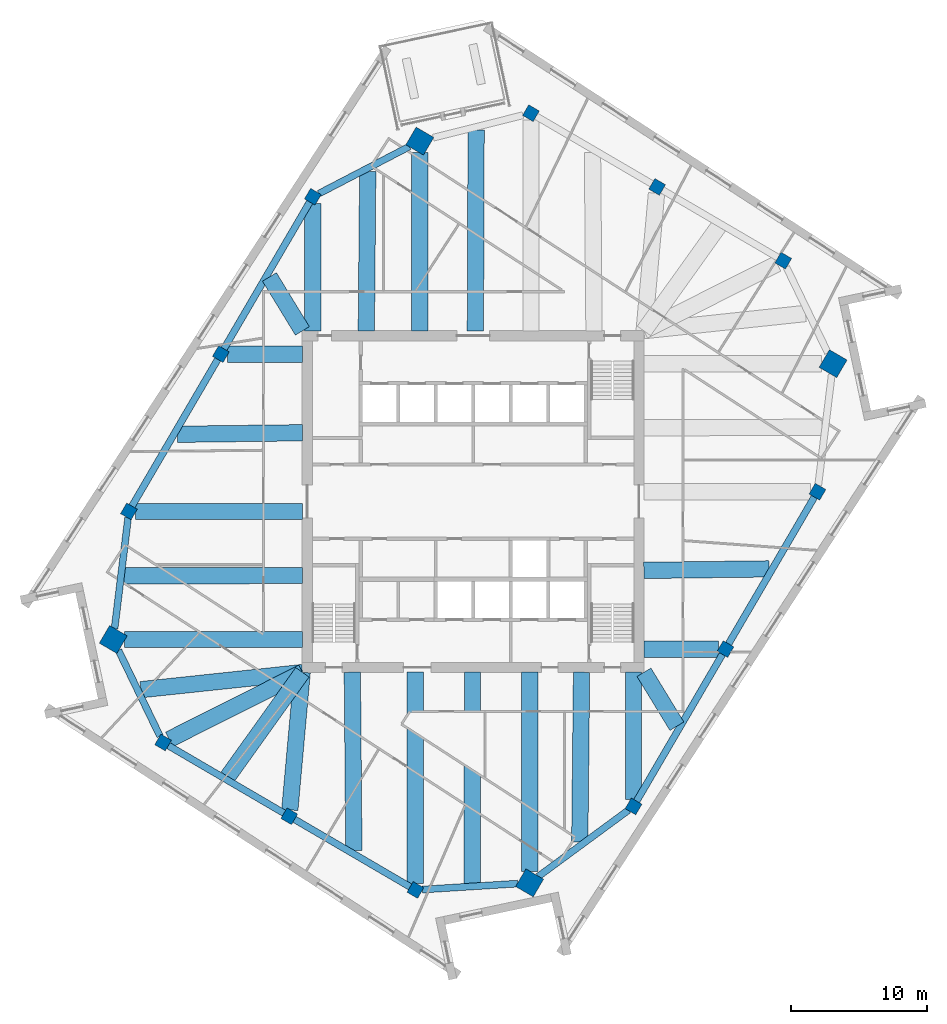
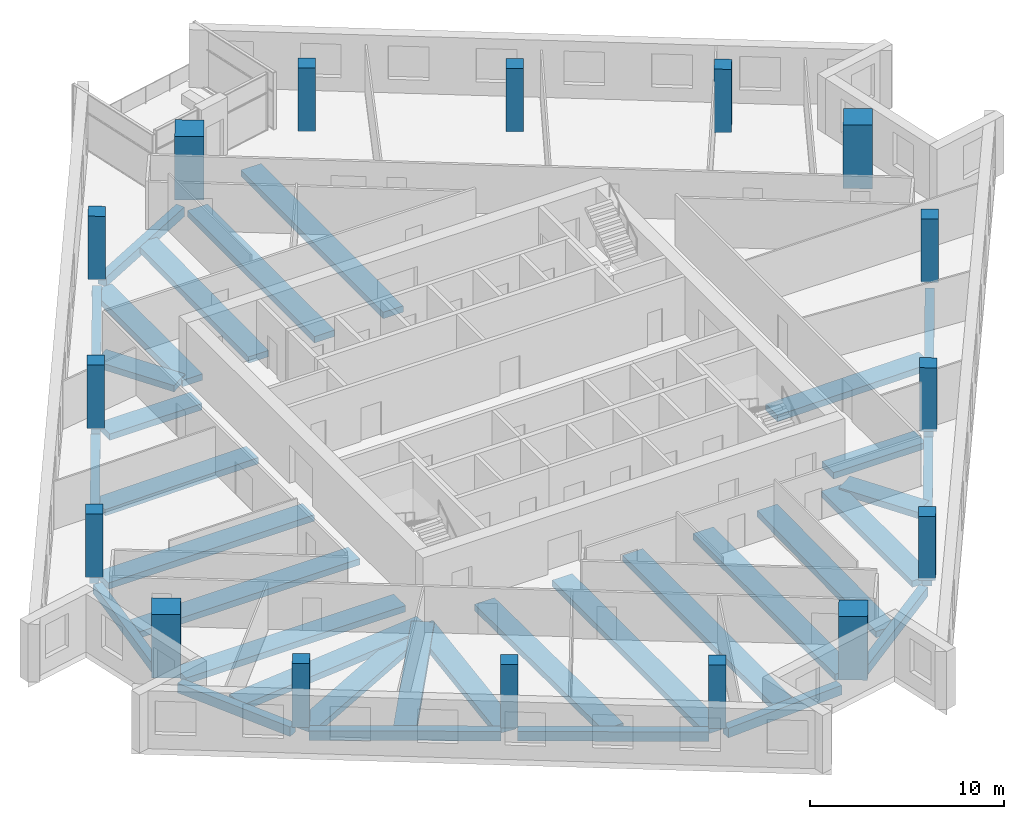
# One storey, part 1 of 12: 34 beams, 16 columns.
"""IFC4 building model written with IfcOpenShell, lengths in metres."""

from ifc_helpers import new_model, si_unit, direction, frame, origin, origin_2d, place, context, subcontext, project, spatial, rectangle, extrude, material, material_profile, profile_set, type_object, element, save


model = new_model("IFC4")

# Units and contexts
model_context = context("Model", 3, precision=1e-05, world=origin(), true_north=direction((0.0, 1.0)))
body_context = subcontext(model_context, "Body", "Model", "MODEL_VIEW")
ifc_project = project(units=[si_unit("LENGTHUNIT", "METRE"), si_unit("AREAUNIT", "SQUARE_METRE"), si_unit("VOLUMEUNIT", "CUBIC_METRE"), si_unit("PLANEANGLEUNIT", "RADIAN"), si_unit("MASSUNIT", "GRAM", prefix="KILO")], contexts=[model_context])

# Site, building, storey
site_placement = place(None, origin())
site = spatial("IfcSite", under=ifc_project, at=site_placement, CompositionType="ELEMENT")
building_placement = place(site_placement, origin())
building = spatial("IfcBuilding", under=site, at=building_placement, Name="Dilmun Exchange Tower", CompositionType="ELEMENT")
storey_placement = place(building_placement, frame((0.0, 0.0, 254.89990234375)))
storey = spatial("IfcBuildingStorey", under=building, at=storey_placement, Name="L60", CompositionType="ELEMENT", Elevation=254.89990234375)

# Columns
ifc_material_1 = material(Name="Concrete C50/60", Category="concrete")
ifc_material_profile_1 = material_profile(ifc_material_1, rectangle(XDim=1.5, YDim=1.5, at=origin_2d()), Name="1500 x 1500")
ifc_profile_set_1 = profile_set([ifc_material_profile_1], Name="Concrete C50/60")
column_type_1 = type_object("IfcColumnType", Name="RC mega column 1500 x 1500 C50/60", PredefinedType="COLUMN", material=ifc_profile_set_1)
for number, where, z_axis, x_axis, name in (
    (1, (-3.9150390625, 26.45703125, 0.0), (0.0, 0.0, 1.0), (0.504643651291, 0.863327739165, 0.0), "Mega column M1"),
    (2, (-26.4150390625, -10.1220703125, 0.0), (0.0, 0.0, 1.0), (0.504643651291, 0.863327739165, 0.0), "Mega column M2"),
    (3, (4.14111328125, -27.98291015625, 0.0), (0.0, 0.0, 1.0), (0.504643651291, 0.863327739165, 0.0), "Mega column M3"),
    (4, (26.4150390625, 10.1220703125, 0.0), (0.0, 0.0, 1.0), (0.504643651291, 0.863327739165, 0.0), "Mega column M4"),
):
    element("IfcColumn", number, at=place(storey_placement, frame(where, z_axis=z_axis, x_axis=x_axis)), inside=storey, type_object=column_type_1, Name=name, PredefinedType="COLUMN", context=body_context, shape_type="SweptSolid", body=[
        extrude(rectangle(XDim=1.5, YDim=1.5, at=origin_2d()), origin(), (0.0, 0.0, 1.0), 4.0),
    ])
ifc_material_profile_2 = material_profile(ifc_material_1, rectangle(XDim=0.89990234375, YDim=0.89990234375, at=origin_2d()), Name="900 x 900")
ifc_profile_set_2 = profile_set([ifc_material_profile_2], Name="Concrete C50/60")
column_type_2 = type_object("IfcColumnType", Name="RC ring column 900 x 900 C50/60", PredefinedType="COLUMN", material=ifc_profile_set_2)
for number, where, z_axis, x_axis, name in (
    (5, (-11.76904296875, 22.3720703125, 0.0), (0.0, 0.0, 1.0), (0.504643651291, 0.863327739165, 0.0), "Ring column R01"),
    (6, (-18.51806640625, 10.824951171875, 0.0), (0.0, 0.0, 1.0), (0.504643651291, 0.863327739165, 0.0), "Ring column R02"),
    (7, (-25.26806640625, -0.721923828125, 0.0), (0.0, 0.0, 1.0), (0.504643651291, 0.863327739165, 0.0), "Ring column R03"),
    (8, (-22.758056640625, -17.681884765625, 0.0), (0.0, 0.0, 1.0), (0.504643651291, 0.863327739165, 0.0), "Ring column R04"),
    (9, (-13.4990234375, -23.093994140625, 0.0), (0.0, 0.0, 1.0), (0.504643651291, 0.863327739165, 0.0), "Ring column R05"),
    (10, (-4.239990234375, -28.506103515625, 0.0), (0.0, 0.0, 1.0), (0.504643651291, 0.863327739165, 0.0), "Ring column R06"),
    (11, (11.76904296875, -22.3720703125, 0.0), (0.0, 0.0, 1.0), (0.504643651291, 0.863327739165, 0.0), "Ring column R07"),
    (12, (18.51806640625, -10.824951171875, 0.0), (0.0, 0.0, 1.0), (0.504643651291, 0.863327739165, 0.0), "Ring column R08"),
    (13, (25.26806640625, 0.721923828125, 0.0), (0.0, 0.0, 1.0), (0.504643651291, 0.863327739165, 0.0), "Ring column R09"),
    (14, (22.758056640625, 17.681884765625, 0.0), (0.0, 0.0, 1.0), (0.504643651291, 0.863327739165, 0.0), "Ring column R10"),
    (15, (13.4990234375, 23.093994140625, 0.0), (0.0, 0.0, 1.0), (0.504643651291, 0.863327739165, 0.0), "Ring column R11"),
    (16, (4.239990234375, 28.506103515625, 0.0), (0.0, 0.0, 1.0), (0.504643651291, 0.863327739165, 0.0), "Ring column R12"),
):
    element("IfcColumn", number, at=place(storey_placement, frame(where, z_axis=z_axis, x_axis=x_axis)), inside=storey, type_object=column_type_2, Name=name, PredefinedType="COLUMN", context=body_context, shape_type="SweptSolid", body=[
        extrude(rectangle(XDim=0.89990234375, YDim=0.89990234375, at=origin_2d()), origin(), (0.0, 0.0, 1.0), 4.0),
    ])

# Beams
ifc_material_2 = material(Name="Concrete C40/50", Category="concrete")
ifc_material_profile_3 = material_profile(ifc_material_2, rectangle(XDim=1.199951171875, YDim=0.39990234375, at=origin_2d()), Name="1200 x 400")
ifc_profile_set_3 = profile_set([ifc_material_profile_3], Name="Concrete C40/50")
beam_type_1 = type_object("IfcBeamType", Name="RC band beam 1200 x 400 C40/50", PredefinedType="BEAM", material=ifc_profile_set_3)
beam_1_placement = place(storey_placement, frame((-3.9150390625, 25.615234375, -0.659912109375), z_axis=(0.0, -1.0, 0.0), x_axis=(1.0, 0.0, 0.0)))
element("IfcBeam", 17, at=beam_1_placement, inside=storey, type_object=beam_type_1, Name="Band beam 1", PredefinedType="BEAM", context=body_context, shape_type="SweptSolid", body=[
    extrude(rectangle(XDim=1.199951171875, YDim=0.39990234375, at=origin_2d()), origin(), (0.0, 0.0, 1.0), 13.09228515625),
])
beam_2_placement = place(storey_placement, frame((-11.76904296875, 21.877685546875, -0.659912109375), z_axis=(0.0, -1.0, 0.0), x_axis=(1.0, 0.0, 0.0)))
element("IfcBeam", 18, at=beam_2_placement, inside=storey, type_object=beam_type_1, Name="Band beam 2", PredefinedType="BEAM", context=body_context, shape_type="SweptSolid", body=[
    extrude(rectangle(XDim=1.199951171875, YDim=0.39990234375, at=origin_2d()), origin(), (0.0, 0.0, 1.0), 9.354736328125),
])
beam_3_placement = place(storey_placement, frame((-18.023681640625, 10.824951171875, -0.659912109375), z_axis=(1.0, 0.0, 0.0), x_axis=(0.0, 1.0, 0.0)))
element("IfcBeam", 19, at=beam_3_placement, inside=storey, type_object=beam_type_1, Name="Band beam 3", PredefinedType="BEAM", context=body_context, shape_type="SweptSolid", body=[
    extrude(rectangle(XDim=1.199951171875, YDim=0.39990234375, at=origin_2d()), origin(), (0.0, 0.0, 1.0), 5.500732421875),
])
beam_4_placement = place(storey_placement, frame((-24.773681640625, -0.721923828125, -0.659912109375), z_axis=(1.0, 0.0, 0.0), x_axis=(0.0, 1.0, 0.0)))
element("IfcBeam", 20, at=beam_4_placement, inside=storey, type_object=beam_type_1, Name="Band beam 4", PredefinedType="BEAM", context=body_context, shape_type="SweptSolid", body=[
    extrude(rectangle(XDim=1.199951171875, YDim=0.39990234375, at=origin_2d()), origin(), (0.0, 0.0, 1.0), 12.250732421875),
])
beam_5_placement = place(storey_placement, frame((-25.5732421875, -10.1220703125, -0.659912109375), z_axis=(1.0, 0.0, 0.0), x_axis=(0.0, 1.0, 0.0)))
element("IfcBeam", 21, at=beam_5_placement, inside=storey, type_object=beam_type_1, Name="Band beam 5", PredefinedType="BEAM", context=body_context, shape_type="SweptSolid", body=[
    extrude(rectangle(XDim=1.199951171875, YDim=0.39990234375, at=origin_2d()), origin(), (0.0, 0.0, 1.0), 13.05029296875),
])
beam_6_placement = place(storey_placement, frame((-22.302734375, -17.453125, -0.659912109375), z_axis=(0.893443377394, 0.449175835716, 0.0), x_axis=(-0.449175835716, 0.893443377394, 0.0)))
element("IfcBeam", 22, at=beam_6_placement, inside=storey, type_object=beam_type_1, Name="Band beam 6", PredefinedType="BEAM", context=body_context, shape_type="SweptSolid", body=[
    extrude(rectangle(XDim=1.199951171875, YDim=0.39990234375, at=origin_2d()), origin(), (0.0, 0.0, 1.0), 10.94287109375),
])
beam_7_placement = place(storey_placement, frame((-13.456787109375, -22.625732421875, -0.659912109375), z_axis=(0.089632924375, 0.995974868593, 0.0), x_axis=(-0.995974868593, 0.089632924375, 0.0)))
element("IfcBeam", 23, at=beam_7_placement, inside=storey, type_object=beam_type_1, Name="Band beam 7", PredefinedType="BEAM", context=body_context, shape_type="SweptSolid", body=[
    extrude(rectangle(XDim=1.199951171875, YDim=0.39990234375, at=origin_2d()), origin(), (0.0, 0.0, 1.0), 10.143310546875),
])
beam_8_placement = place(storey_placement, frame((-4.239990234375, -28.01171875, -0.659912109375), z_axis=(0.0, 1.0, 0.0), x_axis=(-1.0, 0.0, 0.0)))
element("IfcBeam", 24, at=beam_8_placement, inside=storey, type_object=beam_type_1, Name="Band beam 8", PredefinedType="BEAM", context=body_context, shape_type="SweptSolid", body=[
    extrude(rectangle(XDim=1.199951171875, YDim=0.39990234375, at=origin_2d()), origin(), (0.0, 0.0, 1.0), 15.48876953125),
])
beam_9_placement = place(storey_placement, frame((4.14111328125, -27.141357421875, -0.659912109375), z_axis=(0.0, 1.0, 0.0), x_axis=(-1.0, 0.0, 0.0)))
element("IfcBeam", 25, at=beam_9_placement, inside=storey, type_object=beam_type_1, Name="Band beam 9", PredefinedType="BEAM", context=body_context, shape_type="SweptSolid", body=[
    extrude(rectangle(XDim=1.199951171875, YDim=0.39990234375, at=origin_2d()), origin(), (0.0, 0.0, 1.0), 14.618408203125),
])
beam_10_placement = place(storey_placement, frame((11.76904296875, -21.877685546875, -0.659912109375), z_axis=(0.0, 1.0, 0.0), x_axis=(-1.0, 0.0, 0.0)))
element("IfcBeam", 26, at=beam_10_placement, inside=storey, type_object=beam_type_1, Name="Band beam 10", PredefinedType="BEAM", context=body_context, shape_type="SweptSolid", body=[
    extrude(rectangle(XDim=1.199951171875, YDim=0.39990234375, at=origin_2d()), origin(), (0.0, 0.0, 1.0), 9.354736328125),
])
beam_11_placement = place(storey_placement, frame((18.023681640625, -10.824951171875, -0.659912109375), z_axis=(-1.0, 0.0, 0.0), x_axis=(0.0, -1.0, 0.0)))
element("IfcBeam", 27, at=beam_11_placement, inside=storey, type_object=beam_type_1, Name="Band beam 11", PredefinedType="BEAM", context=body_context, shape_type="SweptSolid", body=[
    extrude(rectangle(XDim=1.199951171875, YDim=0.39990234375, at=origin_2d()), origin(), (0.0, 0.0, 1.0), 5.500732421875),
])
beam_12_placement = place(storey_placement, frame((-7.739013671875, 24.216796875, -0.559814453125), z_axis=(-0.008810046818, -0.999961190784, 0.0), x_axis=(0.999961190784, -0.008810046818, 0.0)))
element("IfcBeam", 28, at=beam_12_placement, inside=storey, type_object=beam_type_1, Name="Band beam 17", PredefinedType="BEAM", context=body_context, shape_type="SweptSolid", body=[
    extrude(rectangle(XDim=1.199951171875, YDim=0.39990234375, at=origin_2d()), origin(), (0.0, 0.0, 1.0), 11.6943359375),
])
beam_13_placement = place(storey_placement, frame((-14.950927734375, 16.486083984375, -0.559814453125), z_axis=(0.520868546878, -0.853636899901, 0.0), x_axis=(0.853636899901, 0.520868546878, 0.0)))
element("IfcBeam", 29, at=beam_13_placement, inside=storey, type_object=beam_type_1, Name="Band beam 18", PredefinedType="BEAM", context=body_context, shape_type="SweptSolid", body=[
    extrude(rectangle(XDim=1.199951171875, YDim=0.39990234375, at=origin_2d()), origin(), (0.0, 0.0, 1.0), 4.637451171875),
])
beam_14_placement = place(storey_placement, frame((-21.700439453125, 4.93896484375, -0.559814453125), z_axis=(0.999924810861, 0.01226265164, 0.0), x_axis=(-0.01226265164, 0.999924810861, 0.0)))
element("IfcBeam", 30, at=beam_14_placement, inside=storey, type_object=beam_type_1, Name="Band beam 19", PredefinedType="BEAM", context=body_context, shape_type="SweptSolid", body=[
    extrude(rectangle(XDim=1.199951171875, YDim=0.39990234375, at=origin_2d()), origin(), (0.0, 0.0, 1.0), 9.17822265625),
])
beam_15_placement = place(storey_placement, frame((-25.6201171875, -5.448974609375, -0.559814453125), z_axis=(0.999997897774, 0.002050474756, 0.0), x_axis=(-0.002050474756, 0.999997897774, 0.0)))
element("IfcBeam", 31, at=beam_15_placement, inside=storey, type_object=beam_type_1, Name="Band beam 20", PredefinedType="BEAM", context=body_context, shape_type="SweptSolid", body=[
    extrude(rectangle(XDim=1.199951171875, YDim=0.39990234375, at=origin_2d()), origin(), (0.0, 0.0, 1.0), 13.09716796875),
])
beam_16_placement = place(storey_placement, frame((-24.3857421875, -13.804931640625, -0.559814453125), z_axis=(0.994425543871, 0.105441157505, 0.0), x_axis=(-0.105441157505, 0.994425543871, 0.0)))
element("IfcBeam", 32, at=beam_16_placement, inside=storey, type_object=beam_type_1, Name="Band beam 21", PredefinedType="BEAM", context=body_context, shape_type="SweptSolid", body=[
    extrude(rectangle(XDim=1.199951171875, YDim=0.39990234375, at=origin_2d()), origin(), (0.0, 0.0, 1.0), 11.928955078125),
])
beam_17_placement = place(storey_placement, frame((-18.01611328125, -20.195556640625, -0.559814453125), z_axis=(0.581600762294, 0.81347437163, 0.0), x_axis=(-0.81347437163, 0.581600762294, 0.0)))
element("IfcBeam", 33, at=beam_17_placement, inside=storey, type_object=beam_type_1, Name="Band beam 22", PredefinedType="BEAM", context=body_context, shape_type="SweptSolid", body=[
    extrude(rectangle(XDim=1.199951171875, YDim=0.39990234375, at=origin_2d()), origin(), (0.0, 0.0, 1.0), 9.425537109375),
])
beam_18_placement = place(storey_placement, frame((-8.757080078125, -25.607421875, -0.559814453125), z_axis=(-0.008582734208, 0.999963167658, 0.0), x_axis=(-0.999963167658, -0.008582734208, 0.0)))
element("IfcBeam", 34, at=beam_18_placement, inside=storey, type_object=beam_type_1, Name="Band beam 23", PredefinedType="BEAM", context=body_context, shape_type="SweptSolid", body=[
    extrude(rectangle(XDim=1.199951171875, YDim=0.39990234375, at=origin_2d()), origin(), (0.0, 0.0, 1.0), 13.0849609375),
])
beam_19_placement = place(storey_placement, frame((-0.0634765625, -28.02197265625, -0.559814453125), z_axis=(0.000897863667, 0.99999959692, 0.0), x_axis=(-0.99999959692, 0.000897863667, 0.0)))
element("IfcBeam", 35, at=beam_19_placement, inside=storey, type_object=beam_type_1, Name="Band beam 24", PredefinedType="BEAM", context=body_context, shape_type="SweptSolid", body=[
    extrude(rectangle(XDim=1.199951171875, YDim=0.39990234375, at=origin_2d()), origin(), (0.0, 0.0, 1.0), 15.4990234375),
])
beam_20_placement = place(storey_placement, frame((7.822998046875, -24.997802734375, -0.559814453125), z_axis=(0.010587112348, 0.999943954956, 0.0), x_axis=(-0.999943954956, 0.010587112348, 0.0)))
element("IfcBeam", 36, at=beam_20_placement, inside=storey, type_object=beam_type_1, Name="Band beam 25", PredefinedType="BEAM", context=body_context, shape_type="SweptSolid", body=[
    extrude(rectangle(XDim=1.199951171875, YDim=0.39990234375, at=origin_2d()), origin(), (0.0, 0.0, 1.0), 12.4755859375),
])
beam_21_placement = place(storey_placement, frame((14.950927734375, -16.486083984375, -0.559814453125), z_axis=(-0.520868546878, 0.853636899901, 0.0), x_axis=(-0.853636899901, -0.520868546878, 0.0)))
element("IfcBeam", 37, at=beam_21_placement, inside=storey, type_object=beam_type_1, Name="Band beam 26", PredefinedType="BEAM", context=body_context, shape_type="SweptSolid", body=[
    extrude(rectangle(XDim=1.199951171875, YDim=0.39990234375, at=origin_2d()), origin(), (0.0, 0.0, 1.0), 4.637451171875),
])
beam_22_placement = place(storey_placement, frame((21.700439453125, -4.93896484375, -0.559814453125), z_axis=(-0.999924810861, -0.01226265164, 0.0), x_axis=(0.01226265164, -0.999924810861, 0.0)))
element("IfcBeam", 38, at=beam_22_placement, inside=storey, type_object=beam_type_1, Name="Band beam 27", PredefinedType="BEAM", context=body_context, shape_type="SweptSolid", body=[
    extrude(rectangle(XDim=1.199951171875, YDim=0.39990234375, at=origin_2d()), origin(), (0.0, 0.0, 1.0), 9.17822265625),
])
beam_23_placement = place(storey_placement, frame((0.216796875, 27.26513671875, -0.559814453125), z_axis=(-0.003676445742, -0.999993241851, 0.0), x_axis=(0.999993241851, -0.003676445742, 0.0)))
element("IfcBeam", 39, at=beam_23_placement, inside=storey, type_object=beam_type_1, Name="Band beam 32", PredefinedType="BEAM", context=body_context, shape_type="SweptSolid", body=[
    extrude(rectangle(XDim=1.199951171875, YDim=0.39990234375, at=origin_2d()), origin(), (0.0, 0.0, 1.0), 14.7421875),
])
ifc_material_profile_4 = material_profile(ifc_material_2, rectangle(XDim=0.5, YDim=0.60009765625, at=origin_2d()), Name="500 x 600")
ifc_profile_set_4 = profile_set([ifc_material_profile_4], Name="Concrete C40/50")
beam_type_2 = type_object("IfcBeamType", Name="RC ring beam 500 x 600 C40/50", PredefinedType="SPANDREL", material=ifc_profile_set_4)
beam_24_placement = place(storey_placement, frame((-4.677490234375, 26.060302734375, -0.659912109375), z_axis=(-0.887179966585, -0.461423565599, 0.0), x_axis=(0.461423565599, -0.887179966585, 0.0)))
element("IfcBeam", 40, at=beam_24_placement, inside=storey, type_object=beam_type_2, Name="Ring beam 1", PredefinedType="SPANDREL", context=body_context, shape_type="SweptSolid", body=[
    extrude(rectangle(XDim=0.5, YDim=0.60009765625, at=origin_2d()), origin(), (0.0, 0.0, 1.0), 7.48828125),
])
beam_25_placement = place(storey_placement, frame((-11.982421875, 22.0068359375, -0.659912109375), z_axis=(-0.504603860956, -0.863350996703, 0.0), x_axis=(0.863350996703, -0.504603860956, 0.0)))
element("IfcBeam", 41, at=beam_25_placement, inside=storey, type_object=beam_type_2, Name="Ring beam 2", PredefinedType="SPANDREL", context=body_context, shape_type="SweptSolid", body=[
    extrude(rectangle(XDim=0.5, YDim=0.60009765625, at=origin_2d()), origin(), (0.0, 0.0, 1.0), 12.528564453125),
])
beam_26_placement = place(storey_placement, frame((-18.7314453125, 10.459716796875, -0.659912109375), z_axis=(-0.504670446374, -0.863312075994, 0.0), x_axis=(0.863312075994, -0.504670446374, 0.0)))
element("IfcBeam", 42, at=beam_26_placement, inside=storey, type_object=beam_type_2, Name="Ring beam 3", PredefinedType="SPANDREL", context=body_context, shape_type="SweptSolid", body=[
    extrude(rectangle(XDim=0.5, YDim=0.60009765625, at=origin_2d()), origin(), (0.0, 0.0, 1.0), 12.529052734375),
])
beam_27_placement = place(storey_placement, frame((-25.32421875, -1.181640625, -0.659912109375), z_axis=(-0.121108645076, -0.992639257781, 0.0), x_axis=(0.992639257781, -0.121108645076, 0.0)))
element("IfcBeam", 43, at=beam_27_placement, inside=storey, type_object=beam_type_2, Name="Ring beam 4", PredefinedType="SPANDREL", context=body_context, shape_type="SweptSolid", body=[
    extrude(rectangle(XDim=0.5, YDim=0.60009765625, at=origin_2d()), origin(), (0.0, 0.0, 1.0), 8.216796875),
])
beam_28_placement = place(storey_placement, frame((-26.033447265625, -10.910888671875, -0.659912109375), z_axis=(0.435439794363, -0.900217854458, 0.0), x_axis=(0.900217854458, 0.435439794363, 0.0)))
element("IfcBeam", 44, at=beam_28_placement, inside=storey, type_object=beam_type_2, Name="Ring beam 5", PredefinedType="SPANDREL", context=body_context, shape_type="SweptSolid", body=[
    extrude(rectangle(XDim=0.5, YDim=0.60009765625, at=origin_2d()), origin(), (0.0, 0.0, 1.0), 7.0068359375),
])
beam_29_placement = place(storey_placement, frame((-22.392822265625, -17.8955078125, -0.659912109375), z_axis=(0.863333071594, -0.504634528637, 0.0), x_axis=(0.504634528637, 0.863333071594, 0.0)))
element("IfcBeam", 45, at=beam_29_placement, inside=storey, type_object=beam_type_2, Name="Ring beam 6", PredefinedType="SPANDREL", context=body_context, shape_type="SweptSolid", body=[
    extrude(rectangle(XDim=0.5, YDim=0.60009765625, at=origin_2d()), origin(), (0.0, 0.0, 1.0), 9.878662109375),
])
beam_30_placement = place(storey_placement, frame((-13.1337890625, -23.3076171875, -0.659912109375), z_axis=(0.863343838609, -0.504616107884, 0.0), x_axis=(0.504616107884, 0.863343838609, 0.0)))
element("IfcBeam", 46, at=beam_30_placement, inside=storey, type_object=beam_type_2, Name="Ring beam 7", PredefinedType="SPANDREL", context=body_context, shape_type="SweptSolid", body=[
    extrude(rectangle(XDim=0.5, YDim=0.60009765625, at=origin_2d()), origin(), (0.0, 0.0, 1.0), 9.87841796875),
])
beam_31_placement = place(storey_placement, frame((-3.72607421875, -28.473876953125, -0.659912109375), z_axis=(0.998059216844, 0.062271981443, 0.0), x_axis=(-0.062271981443, 0.998059216844, 0.0)))
element("IfcBeam", 47, at=beam_31_placement, inside=storey, type_object=beam_type_2, Name="Ring beam 8", PredefinedType="SPANDREL", context=body_context, shape_type="SweptSolid", body=[
    extrude(rectangle(XDim=0.5, YDim=0.60009765625, at=origin_2d()), origin(), (0.0, 0.0, 1.0), 7.006103515625),
])
beam_32_placement = place(storey_placement, frame((4.77734375, -27.514892578125, -0.659912109375), z_axis=(0.805549228719, 0.592528851711, 0.0), x_axis=(-0.592528851711, 0.805549228719, 0.0)))
element("IfcBeam", 48, at=beam_32_placement, inside=storey, type_object=beam_type_2, Name="Ring beam 9", PredefinedType="SPANDREL", context=body_context, shape_type="SweptSolid", body=[
    extrude(rectangle(XDim=0.5, YDim=0.60009765625, at=origin_2d()), origin(), (0.0, 0.0, 1.0), 8.21630859375),
])
beam_33_placement = place(storey_placement, frame((11.982421875, -22.0068359375, -0.659912109375), z_axis=(0.504603860956, 0.863350996703, 0.0), x_axis=(-0.863350996703, 0.504603860956, 0.0)))
element("IfcBeam", 49, at=beam_33_placement, inside=storey, type_object=beam_type_2, Name="Ring beam 10", PredefinedType="SPANDREL", context=body_context, shape_type="SweptSolid", body=[
    extrude(rectangle(XDim=0.5, YDim=0.60009765625, at=origin_2d()), origin(), (0.0, 0.0, 1.0), 12.528564453125),
])
beam_34_placement = place(storey_placement, frame((18.7314453125, -10.459716796875, -0.659912109375), z_axis=(0.504670446374, 0.863312075994, 0.0), x_axis=(-0.863312075994, 0.504670446374, 0.0)))
element("IfcBeam", 50, at=beam_34_placement, inside=storey, type_object=beam_type_2, Name="Ring beam 11", PredefinedType="SPANDREL", context=body_context, shape_type="SweptSolid", body=[
    extrude(rectangle(XDim=0.5, YDim=0.60009765625, at=origin_2d()), origin(), (0.0, 0.0, 1.0), 12.529052734375),
])

save(model, "model.ifc")
